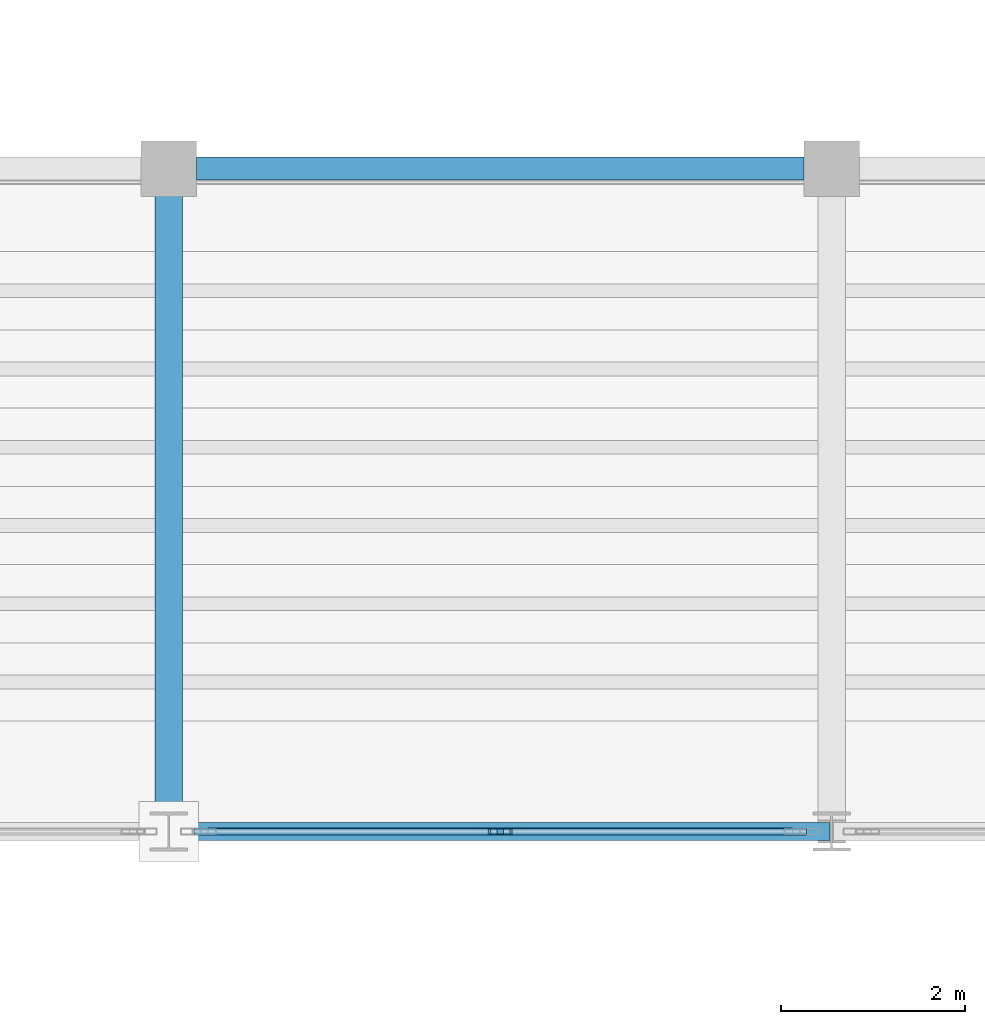
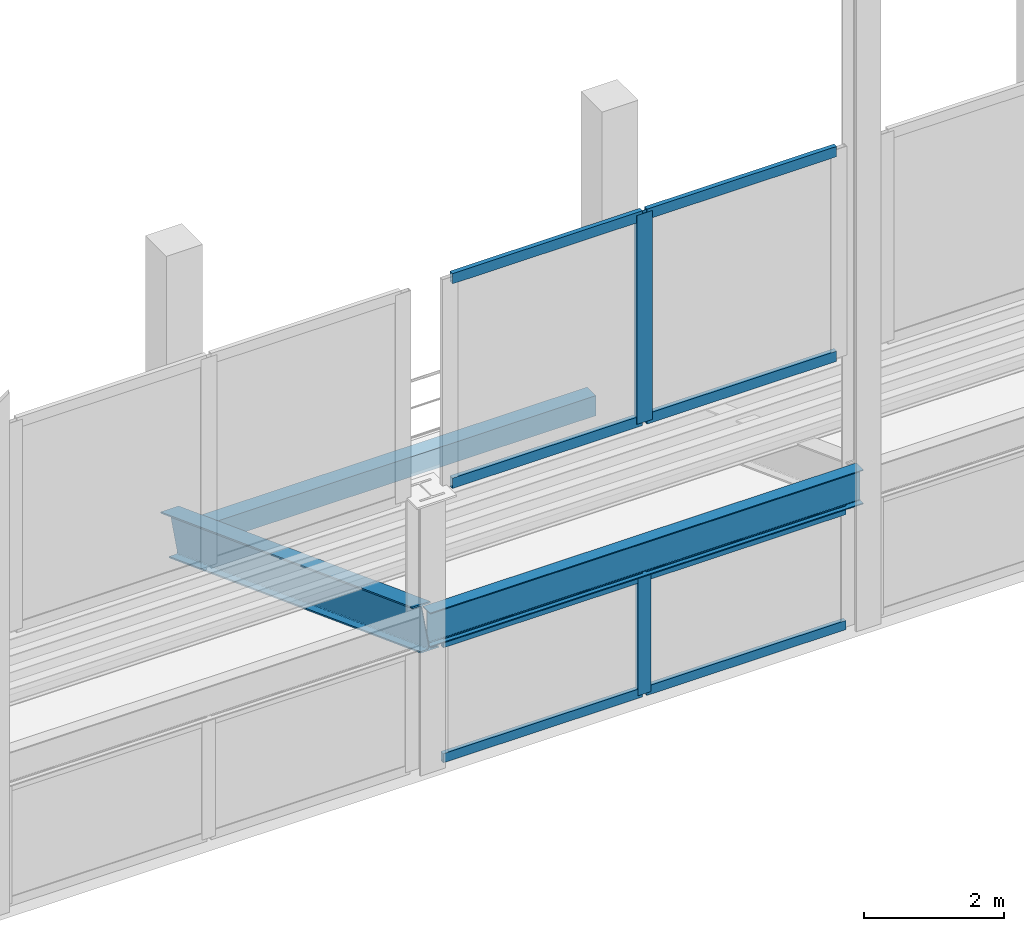
# One storey, part 24 of 120: 10 members, 3 beams, 2 elements without a shape of their own.
"""IFC4 building model written with IfcOpenShell, lengths in metres."""

from ifc_helpers import new_model, si_unit, direction, frame, origin, origin_2d, place, context, subcontext, project, spatial, hollow_rectangle, i_section, extrude, material, material_profile, profile_set, type_object, element, aggregate, save


model = new_model("IFC4")

# Units and contexts
model_context = context("Model", 3, precision=1e-05, world=origin(), true_north=direction((0.0, 1.0)))
body_context = subcontext(model_context, "Body", "Model", "MODEL_VIEW")
ifc_project = project(units=[si_unit("LENGTHUNIT", "METRE"), si_unit("AREAUNIT", "SQUARE_METRE"), si_unit("VOLUMEUNIT", "CUBIC_METRE"), si_unit("PLANEANGLEUNIT", "RADIAN"), si_unit("MASSUNIT", "GRAM", prefix="KILO")], contexts=[model_context])

# Site, building, storey
site_placement = place(None, origin())
site = spatial("IfcSite", under=ifc_project, at=site_placement, CompositionType="ELEMENT")
building_placement = place(site_placement, origin())
building = spatial("IfcBuilding", under=site, at=building_placement, Name="Vesperath Aquatics Centre", CompositionType="ELEMENT")
storey_placement = place(building_placement, frame((0.0, 0.0, 10.199951171875)))
storey = spatial("IfcBuildingStorey", under=building, at=storey_placement, Name="L02", CompositionType="ELEMENT", Elevation=10.199951171875)

# Beams
ifc_material_1 = material(Name="Steel Q355D", Category="steel")
ifc_material_profile_1 = material_profile(ifc_material_1, i_section(OverallWidth=0.300048828125, OverallDepth=0.699951171875, WebThickness=0.012939453125, FlangeThickness=0.02392578125, FilletRadius=0.028076171875, at=origin_2d()), Name="HN 700x300x13x24")
ifc_profile_set_1 = profile_set([ifc_material_profile_1], Name="Steel Q355D")
beam_type_1 = type_object("IfcBeamType", Name="BM-RK02", PredefinedType="USERDEFINED", material=ifc_profile_set_1)
beam_1_placement = place(storey_placement, frame((57.60009765625, 21.60009765625, -0.300048828125), z_axis=(0.0, -0.93632395855, 0.351137358659), x_axis=(1.0, 0.0, 0.0)))
element("IfcBeam", 1, at=beam_1_placement, inside=storey, type_object=beam_type_1, Name="Upper Stand RAKER Beam RK02 South 9", ObjectType="RAKER", PredefinedType="USERDEFINED", context=body_context, shape_type="SweptSolid", body=[
    extrude(i_section(OverallWidth=0.300048828125, OverallDepth=0.699951171875, WebThickness=0.012939453125, FlangeThickness=0.02392578125, FilletRadius=0.028076171875, at=origin_2d()), origin(), (0.0, 0.0, 1.0), 7.68994140625),
])
ifc_material_profile_2 = material_profile(ifc_material_1, i_section(OverallWidth=0.199951171875, OverallDepth=0.60009765625, WebThickness=0.010986328125, FlangeThickness=0.01708984375, FilletRadius=0.02197265625, at=origin_2d()), Name="HN 600x200x11x17")
ifc_profile_set_2 = profile_set([ifc_material_profile_2], Name="Steel Q355D")
beam_type_2 = type_object("IfcBeamType", Name="BM-RKH1", PredefinedType="BEAM", material=ifc_profile_set_2)
beam_2_placement = place(storey_placement, frame((57.6201171875, 14.39990234375, 2.400146484375), z_axis=(1.0, 0.0, 0.0), x_axis=(0.0, 1.0, 0.0)))
element("IfcBeam", 2, at=beam_2_placement, inside=storey, type_object=beam_type_2, Name="Upper Bowl Rim Girder RKH1 South 9-10", PredefinedType="BEAM", context=body_context, shape_type="SweptSolid", body=[
    extrude(i_section(OverallWidth=0.199951171875, OverallDepth=0.60009765625, WebThickness=0.010986328125, FlangeThickness=0.01708984375, FilletRadius=0.02197265625, at=origin_2d()), origin(), (0.0, 0.0, 1.0), 7.159912109375),
])
ifc_material_profile_3 = material_profile(ifc_material_1, hollow_rectangle(XDim=0.25, YDim=0.35009765625, WallThickness=0.011962890625, at=origin_2d()), Name="RHS 350x250x12")
ifc_profile_set_3 = profile_set([ifc_material_profile_3], Name="Steel Q355D")
beam_type_3 = type_object("IfcBeamType", Name="BM-SP02", PredefinedType="SPANDREL", material=ifc_profile_set_3)
beam_3_placement = place(storey_placement, frame((57.89990234375, 21.60009765625, -0.43505859375), z_axis=(1.0, 0.0, 0.0), x_axis=(0.0, 1.0, 0.0)))
element("IfcBeam", 3, at=beam_3_placement, inside=storey, type_object=beam_type_3, Name="Floor Girder SP02 L02 D 9-10", PredefinedType="SPANDREL", context=body_context, shape_type="SweptSolid", body=[
    extrude(hollow_rectangle(XDim=0.25, YDim=0.35009765625, WallThickness=0.011962890625, at=origin_2d()), origin(), (0.0, 0.0, 1.0), 6.60009765625),
])

# Curtain wall, member
ifc_material_2 = material(Name="Thermally broken anodised bronze aluminium curtain wall", Category="aluminium")
curtain_wall_type_1 = type_object("IfcCurtainWallType", Name="CW-08", PredefinedType="NOTDEFINED", material=ifc_material_2)
curtain_wall_1_placement = place(storey_placement, origin())
curtain_wall_1 = element("IfcCurtainWall", 4, at=curtain_wall_1_placement, inside=storey, type_object=curtain_wall_type_1, Name="Natatorium Gable West Curtain Wall CW08 S-5W", PredefinedType="NOTDEFINED")
ifc_material_3 = material(Name="Thermally broken anodised aluminium", Category="aluminium")
ifc_material_profile_4 = material_profile(ifc_material_3, hollow_rectangle(XDim=0.074951171875, YDim=0.260009765625, WallThickness=0.006103515625, at=origin_2d()), Name="CWM 75x260x6")
ifc_profile_set_4 = profile_set([ifc_material_profile_4], Name="Thermally broken anodised aluminium")
member_type_1 = type_object("IfcMemberType", Name="MB-CWM1", PredefinedType="MULLION", material=ifc_profile_set_4)
member_1_placement = place(storey_placement, frame((61.199951171875, 14.39990234375, 4.75), z_axis=(0.0, 0.0, 1.0), x_axis=(0.0, 1.0, 0.0)))
member_1 = element("IfcMember", 5, at=member_1_placement, type_object=member_type_1, Name="CW08 mullion 2", PredefinedType="MULLION", context=body_context, shape_type="SweptSolid", body=[
    extrude(hollow_rectangle(XDim=0.074951171875, YDim=0.260009765625, WallThickness=0.006103515625, at=origin_2d()), origin(), (0.0, 0.0, 1.0), 3.650146484375),
])

curtain_wall_type_2 = type_object("IfcCurtainWallType", Name="CW-06", PredefinedType="NOTDEFINED", material=ifc_material_2)
curtain_wall_2_placement = place(storey_placement, origin())
curtain_wall_2 = element("IfcCurtainWall", 6, at=curtain_wall_2_placement, inside=storey, type_object=curtain_wall_type_2, Name="Facade Curtain Wall CW06 L02_S_08_02", PredefinedType="NOTDEFINED")
ifc_material_profile_5 = material_profile(ifc_material_3, hollow_rectangle(XDim=0.070068359375, YDim=0.219970703125, WallThickness=0.0048828125, at=origin_2d()), Name="CWM 70x220x5")
ifc_profile_set_5 = profile_set([ifc_material_profile_5], Name="Thermally broken anodised aluminium")
member_type_2 = type_object("IfcMemberType", Name="MB-CWM2", PredefinedType="MULLION", material=ifc_profile_set_5)
member_2_placement = place(storey_placement, frame((61.199951171875, 14.39990234375, 0.0), z_axis=(0.0, 0.0, 1.0), x_axis=(0.0, 1.0, 0.0)))
member_2 = element("IfcMember", 7, at=member_2_placement, type_object=member_type_2, Name="CW06 mullion 2", PredefinedType="MULLION", context=body_context, shape_type="SweptSolid", body=[
    extrude(hollow_rectangle(XDim=0.070068359375, YDim=0.219970703125, WallThickness=0.0048828125, at=origin_2d()), origin(), (0.0, 0.0, 1.0), 2.080078125),
])

# Member
ifc_material_profile_6 = material_profile(ifc_material_3, hollow_rectangle(XDim=0.074951171875, YDim=0.179931640625, WallThickness=0.0048828125, at=origin_2d()), Name="CWT 75x180x5")
ifc_profile_set_6 = profile_set([ifc_material_profile_6], Name="Thermally broken anodised aluminium")
member_type_3 = type_object("IfcMemberType", Name="MB-CWT1", PredefinedType="USERDEFINED", material=ifc_profile_set_6)
member_3_placement = place(storey_placement, frame((58.02490234375, 14.39990234375, 4.78759765625), z_axis=(1.0, 0.0, 0.0), x_axis=(0.0, 1.0, 0.0)))
member_3 = element("IfcMember", 8, at=member_3_placement, type_object=member_type_3, Name="CW08 transom 1.1", ObjectType="TRANSOM", PredefinedType="USERDEFINED", context=body_context, shape_type="SweptSolid", body=[
    extrude(hollow_rectangle(XDim=0.074951171875, YDim=0.179931640625, WallThickness=0.0048828125, at=origin_2d()), origin(), (0.0, 0.0, 1.0), 3.1376953125),
])

member_4_placement = place(storey_placement, frame((58.02490234375, 14.39990234375, 8.362548828125), z_axis=(1.0, 0.0, 0.0), x_axis=(0.0, 1.0, 0.0)))
member_4 = element("IfcMember", 9, at=member_4_placement, type_object=member_type_3, Name="CW08 transom 1.2", ObjectType="TRANSOM", PredefinedType="USERDEFINED", context=body_context, shape_type="SweptSolid", body=[
    extrude(hollow_rectangle(XDim=0.074951171875, YDim=0.179931640625, WallThickness=0.0048828125, at=origin_2d()), origin(), (0.0, 0.0, 1.0), 3.1376953125),
])

member_5_placement = place(storey_placement, frame((61.237548828125, 14.39990234375, 4.78759765625), z_axis=(1.0, 0.0, 0.0), x_axis=(0.0, 1.0, 0.0)))
member_5 = element("IfcMember", 10, at=member_5_placement, type_object=member_type_3, Name="CW08 transom 2.1", ObjectType="TRANSOM", PredefinedType="USERDEFINED", context=body_context, shape_type="SweptSolid", body=[
    extrude(hollow_rectangle(XDim=0.074951171875, YDim=0.179931640625, WallThickness=0.0048828125, at=origin_2d()), origin(), (0.0, 0.0, 1.0), 3.137451171875),
])

member_6_placement = place(storey_placement, frame((61.237548828125, 14.39990234375, 8.362548828125), z_axis=(1.0, 0.0, 0.0), x_axis=(0.0, 1.0, 0.0)))
member_6 = element("IfcMember", 11, at=member_6_placement, type_object=member_type_3, Name="CW08 transom 2.2", ObjectType="TRANSOM", PredefinedType="USERDEFINED", context=body_context, shape_type="SweptSolid", body=[
    extrude(hollow_rectangle(XDim=0.074951171875, YDim=0.179931640625, WallThickness=0.0048828125, at=origin_2d()), origin(), (0.0, 0.0, 1.0), 3.137451171875),
])

aggregate(curtain_wall_1, [member_1, member_3, member_4, member_5, member_6])

ifc_material_profile_7 = material_profile(ifc_material_3, hollow_rectangle(XDim=0.070068359375, YDim=0.159912109375, WallThickness=0.0048828125, at=origin_2d()), Name="CWT 70x160x5")
ifc_profile_set_7 = profile_set([ifc_material_profile_7], Name="Thermally broken anodised aluminium")
member_type_4 = type_object("IfcMemberType", Name="MB-CWT2", PredefinedType="USERDEFINED", material=ifc_profile_set_7)
member_7_placement = place(storey_placement, frame((57.87353515625, 14.39990234375, 0.03515625), z_axis=(1.0, 0.0, 0.0), x_axis=(0.0, 1.0, 0.0)))
member_7 = element("IfcMember", 12, at=member_7_placement, type_object=member_type_4, Name="CW06 transom 1.1", ObjectType="TRANSOM", PredefinedType="USERDEFINED", context=body_context, shape_type="SweptSolid", body=[
    extrude(hollow_rectangle(XDim=0.070068359375, YDim=0.159912109375, WallThickness=0.0048828125, at=origin_2d()), origin(), (0.0, 0.0, 1.0), 3.29150390625),
])

member_8_placement = place(storey_placement, frame((57.87353515625, 14.39990234375, 2.045166015625), z_axis=(1.0, 0.0, 0.0), x_axis=(0.0, 1.0, 0.0)))
member_8 = element("IfcMember", 13, at=member_8_placement, type_object=member_type_4, Name="CW06 transom 1.2", ObjectType="TRANSOM", PredefinedType="USERDEFINED", context=body_context, shape_type="SweptSolid", body=[
    extrude(hollow_rectangle(XDim=0.070068359375, YDim=0.159912109375, WallThickness=0.0048828125, at=origin_2d()), origin(), (0.0, 0.0, 1.0), 3.29150390625),
])

member_9_placement = place(storey_placement, frame((61.235107421875, 14.39990234375, 0.03515625), z_axis=(1.0, 0.0, 0.0), x_axis=(0.0, 1.0, 0.0)))
member_9 = element("IfcMember", 14, at=member_9_placement, type_object=member_type_4, Name="CW06 transom 2.1", ObjectType="TRANSOM", PredefinedType="USERDEFINED", context=body_context, shape_type="SweptSolid", body=[
    extrude(hollow_rectangle(XDim=0.070068359375, YDim=0.159912109375, WallThickness=0.0048828125, at=origin_2d()), origin(), (0.0, 0.0, 1.0), 3.29150390625),
])

member_10_placement = place(storey_placement, frame((61.235107421875, 14.39990234375, 2.045166015625), z_axis=(1.0, 0.0, 0.0), x_axis=(0.0, 1.0, 0.0)))
member_10 = element("IfcMember", 15, at=member_10_placement, type_object=member_type_4, Name="CW06 transom 2.2", ObjectType="TRANSOM", PredefinedType="USERDEFINED", context=body_context, shape_type="SweptSolid", body=[
    extrude(hollow_rectangle(XDim=0.070068359375, YDim=0.159912109375, WallThickness=0.0048828125, at=origin_2d()), origin(), (0.0, 0.0, 1.0), 3.29150390625),
])

aggregate(curtain_wall_2, [member_2, member_7, member_8, member_9, member_10])

save(model, "model.ifc")
